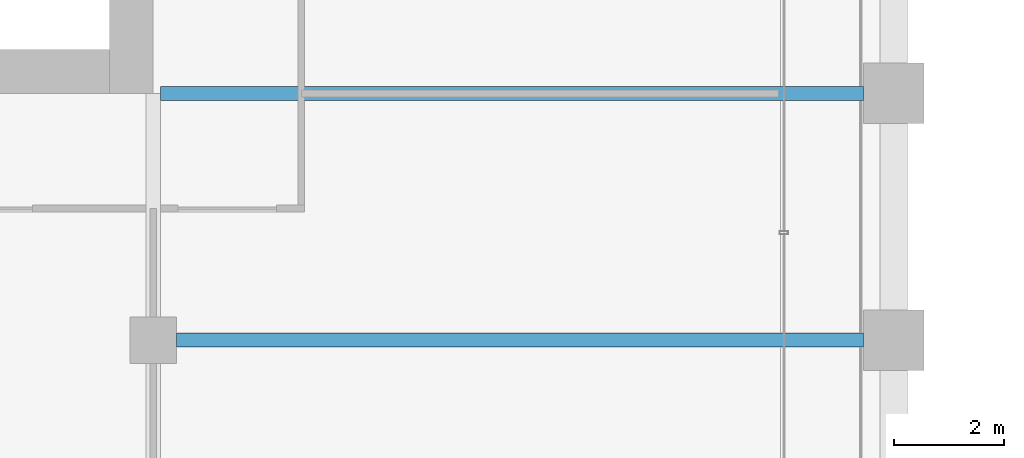
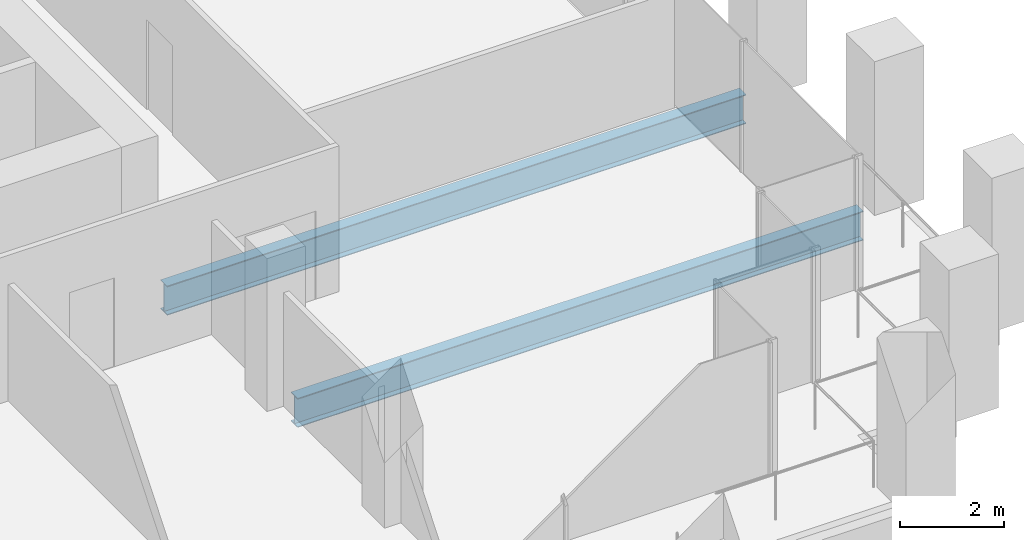
# One storey, part 17 of 56: 2 beams.
"""IFC4 building model written with IfcOpenShell, lengths in metres."""

from ifc_helpers import new_model, si_unit, direction, frame, origin, origin_2d, place, context, subcontext, project, spatial, i_section, extrude, material, material_profile, profile_set, type_object, element, save


model = new_model("IFC4")

# Units and contexts
model_context = context("Model", 3, precision=1e-05, world=origin(), true_north=direction((0.0, 1.0)))
body_context = subcontext(model_context, "Body", "Model", "MODEL_VIEW")
ifc_project = project(units=[si_unit("LENGTHUNIT", "METRE"), si_unit("AREAUNIT", "SQUARE_METRE"), si_unit("VOLUMEUNIT", "CUBIC_METRE"), si_unit("PLANEANGLEUNIT", "RADIAN"), si_unit("MASSUNIT", "GRAM", prefix="KILO")], contexts=[model_context])

# Site, building, storey
site_placement = place(None, origin())
site = spatial("IfcSite", under=ifc_project, at=site_placement, CompositionType="ELEMENT")
building_placement = place(site_placement, origin())
building = spatial("IfcBuilding", under=site, at=building_placement, Name="Altepetl Exchange Towers", CompositionType="ELEMENT")
storey_placement = place(building_placement, frame((0.0, 0.0, 54.60009765625)))
storey = spatial("IfcBuildingStorey", under=building, at=storey_placement, Name="L12", CompositionType="ELEMENT", Elevation=54.60009765625)

# Beams
ifc_material = material(Name="Steel S355", Category="steel")
ifc_material_profile = material_profile(ifc_material, i_section(OverallWidth=0.25390625, OverallDepth=0.68408203125, WebThickness=0.012451171875, FlangeThickness=0.018798828125, at=origin_2d()), Name="W27X94")
ifc_profile_set = profile_set([ifc_material_profile], Name="Steel S355")
beam_type = type_object("IfcBeamType", Name="Floor beam W27X94", PredefinedType="BEAM", material=ifc_profile_set)
beam_1_placement = place(storey_placement, frame((58.925048828125, 36.0, -0.4921875), z_axis=(1.0, 0.0, 0.0), x_axis=(0.0, 1.0, 0.0)))
element("IfcBeam", 1, at=beam_1_placement, inside=storey, type_object=beam_type, Name="bm:A:L12:007", PredefinedType="BEAM", context=body_context, shape_type="SweptSolid", body=[
    extrude(i_section(OverallWidth=0.25390625, OverallDepth=0.68408203125, WebThickness=0.012451171875, FlangeThickness=0.018798828125, at=origin_2d()), origin(), (0.0, 0.0, 1.0), 12.52490234375),
])
beam_2_placement = place(storey_placement, frame((58.634033203125, 40.5, -0.4921875), z_axis=(1.0, 0.0, 0.0), x_axis=(0.0, 1.0, 0.0)))
element("IfcBeam", 2, at=beam_2_placement, inside=storey, type_object=beam_type, Name="bm:A:L12:008", PredefinedType="BEAM", context=body_context, shape_type="SweptSolid", body=[
    extrude(i_section(OverallWidth=0.25390625, OverallDepth=0.68408203125, WebThickness=0.012451171875, FlangeThickness=0.018798828125, at=origin_2d()), origin(), (0.0, 0.0, 1.0), 12.81591796875),
])

save(model, "model.ifc")
